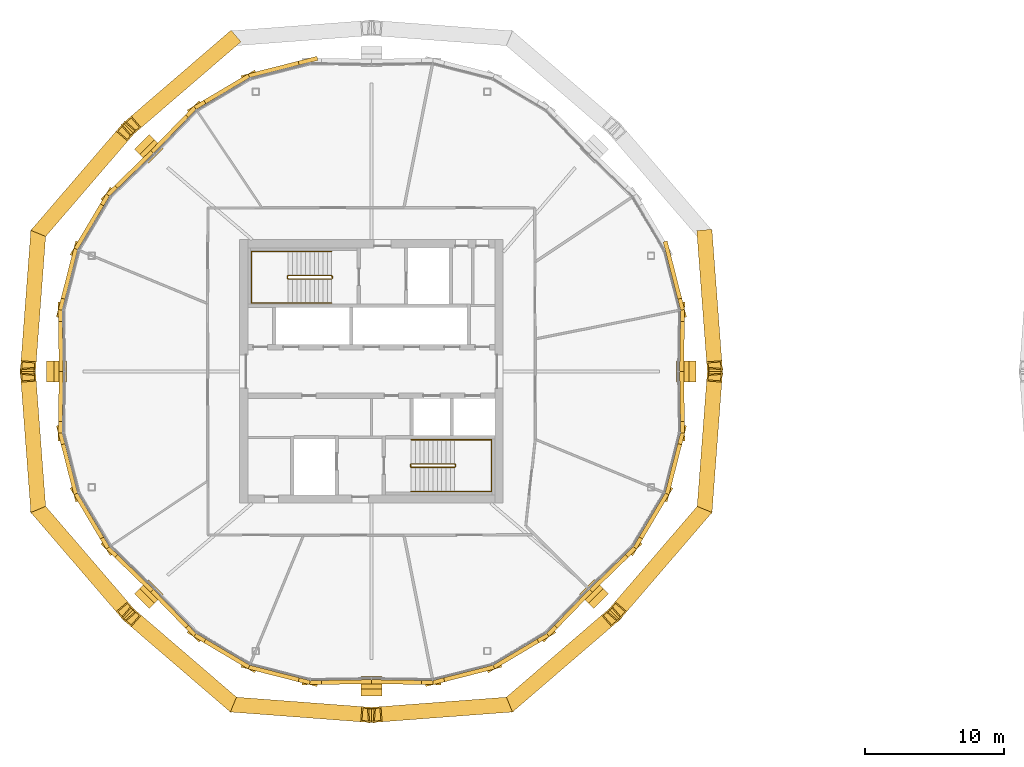
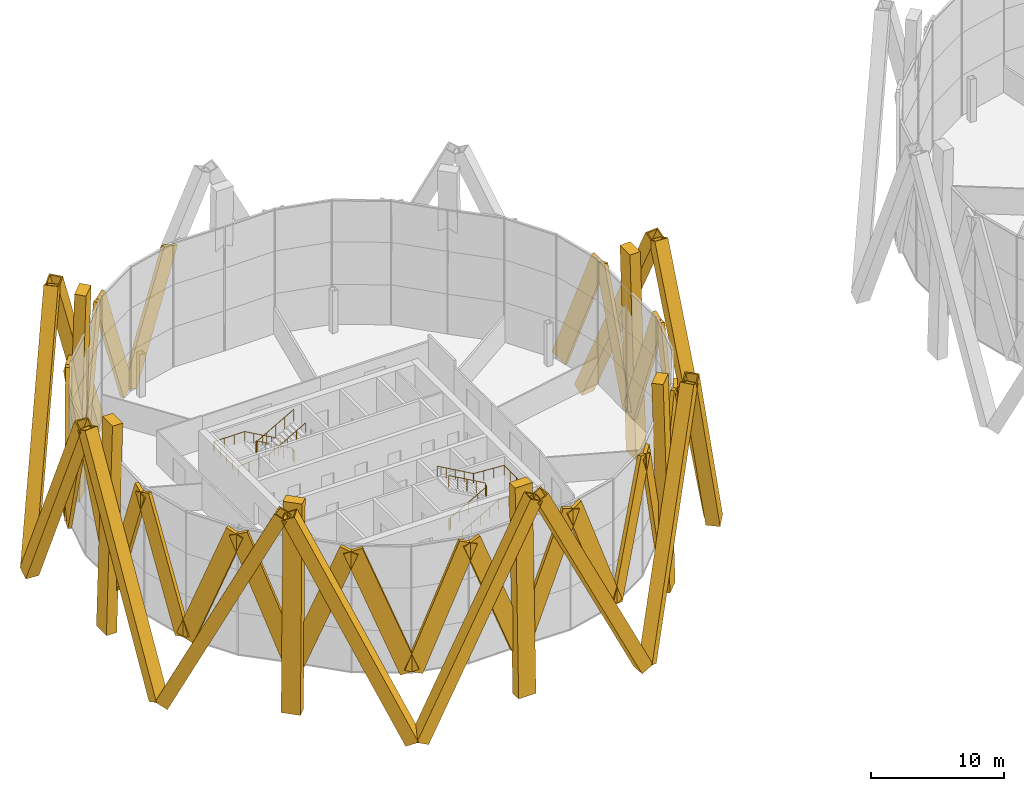
# One storey, part 21 of 23: 43 coverings, 4 railings.
"""IFC4 building model written with IfcOpenShell, lengths in metres."""

from ifc_helpers import new_model, si_unit, direction, frame, origin, origin_2d, place, context, subcontext, project, spatial, rectangle, hollow_rectangle, circle, extrude, material, material_profile, profile_set, type_object, element, save


model = new_model("IFC4")

# Units and contexts
model_context = context("Model", 3, precision=1e-05, world=origin(), true_north=direction((0.0, 1.0)))
body_context = subcontext(model_context, "Body", "Model", "MODEL_VIEW")
ifc_project = project(units=[si_unit("LENGTHUNIT", "METRE"), si_unit("AREAUNIT", "SQUARE_METRE"), si_unit("VOLUMEUNIT", "CUBIC_METRE"), si_unit("PLANEANGLEUNIT", "RADIAN"), si_unit("MASSUNIT", "GRAM", prefix="KILO")], contexts=[model_context])

# Site, building, storey
site_placement = place(None, origin())
site = spatial("IfcSite", under=ifc_project, at=site_placement, CompositionType="ELEMENT")
building_placement = place(site_placement, origin())
building = spatial("IfcBuilding", under=site, at=building_placement, Name="Ogive Gate Towers", CompositionType="ELEMENT")
storey_placement = place(building_placement, frame((0.0, 0.0, 165.60009765625)))
storey = spatial("IfcBuildingStorey", under=building, at=storey_placement, Name="L39", CompositionType="ELEMENT", Elevation=165.60009765625)

# Coverings
ifc_material_1 = material(Name="Pale metal aluminium", Category="aluminium")
ifc_material_profile_1 = material_profile(ifc_material_1, rectangle(XDim=1.5, YDim=0.89990234375, at=origin_2d()), Name="1500 x 900 pale metal aluminium")
ifc_profile_set_1 = profile_set([ifc_material_profile_1], Name="Pale metal aluminium")
covering_type_1 = type_object("IfcCoveringType", Name="Crease colonnette 1500 x 900", PredefinedType="CLADDING", material=ifc_profile_set_1)
for number, where, z_axis, x_axis, name in (
    (1, (-13.050048828125, 0.0, -4.10009765625), (-0.027885430639, 0.0, 0.999611125767), (0.0, -1.0, 0.0), "Crease colonnette"),
    (2, (-52.22802734375, 16.22802734375, -4.10009765625), (0.019716323733, -0.019716323733, 0.999611190992), (0.707106781187, 0.707106781187, 0.0), "Crease colonnette"),
    (3, (-58.949951171875, 0.0, -4.10009765625), (0.027885430639, 0.0, 0.999611125767), (0.0, 1.0, 0.0), "Crease colonnette"),
    (4, (-52.22802734375, -16.22802734375, -4.10009765625), (0.019716323733, 0.019716323733, 0.999611190992), (-0.707106781187, 0.707106781187, 0.0), "Crease colonnette"),
    (5, (-36.0, -22.949951171875, -4.10009765625), (0.0, 0.027885430639, 0.999611125767), (-1.0, 0.0, 0.0), "Crease colonnette"),
    (6, (-19.77197265625, -16.22802734375, -4.10009765625), (-0.019716323733, 0.019716323733, 0.999611190992), (-0.707106781187, -0.707106781187, 0.0), "Crease colonnette"),
):
    element("IfcCovering", number, at=place(storey_placement, frame(where, z_axis=z_axis, x_axis=x_axis)), inside=storey, type_object=covering_type_1, Name=name, PredefinedType="CLADDING", context=body_context, shape_type="SweptSolid", body=[
        extrude(rectangle(XDim=1.5, YDim=0.89990234375, at=origin_2d()), origin(), (0.0, 0.0, 1.0), 19.00732421875),
    ])
ifc_material_2 = material(Name="Pale metal aluminium cladding", Category="aluminium")
ifc_material_profile_2 = material_profile(ifc_material_2, hollow_rectangle(XDim=1.10009765625, YDim=1.10009765625, WallThickness=0.10009765625, at=origin_2d()), Name="1100 x 1100 pale metal casing")
ifc_profile_set_2 = profile_set([ifc_material_profile_2], Name="Pale metal aluminium cladding")
covering_type_2 = type_object("IfcCoveringType", Name="Diagrid casing 1100 x 1100", PredefinedType="CLADDING", material=ifc_profile_set_2)
covering_1_placement = place(storey_placement, frame((-11.97021484375, 9.705078125, -4.305908203125), z_axis=(0.032958717845, -0.437999553394, 0.898370811049), x_axis=(0.997180814037, 0.075036152058, 0.0)))
element("IfcCovering", 7, at=covering_1_placement, inside=storey, type_object=covering_type_2, Name="Diagrid casing", PredefinedType="CLADDING", context=body_context, shape_type="SweptSolid", body=[
    extrude(hollow_rectangle(XDim=1.10009765625, YDim=1.10009765625, WallThickness=0.10009765625, at=origin_2d()), origin(), (0.0, 0.0, 1.0), 21.607666015625),
])
for number, where, z_axis, x_axis, name in (
    (8, (-46.129150390625, 23.85400390625, -4.305908203125), (-0.333011902228, -0.28640402055, 0.898373981139), (0.652057309307, -0.758169681127, 0.0), "Diagrid casing"),
    (9, (-59.85400390625, 10.129150390625, -4.305908203125), (0.28640402055, 0.333011902228, 0.898373981139), (-0.758169681127, 0.652057309307, 0.0), "Diagrid casing"),
):
    element("IfcCovering", number, at=place(storey_placement, frame(where, z_axis=z_axis, x_axis=x_axis)), inside=storey, type_object=covering_type_2, Name=name, PredefinedType="CLADDING", context=body_context, shape_type="SweptSolid", body=[
        extrude(hollow_rectangle(XDim=1.10009765625, YDim=1.10009765625, WallThickness=0.10009765625, at=origin_2d()), origin(), (0.0, 0.0, 1.0), 21.607421875),
    ])
for number, where, z_axis, x_axis, name in (
    (10, (-60.02978515625, 9.705078125, -4.305908203125), (-0.032958717845, -0.437999553394, 0.898370811049), (0.997180814037, -0.075036152058, 0.0), "Diagrid casing"),
    (11, (-60.02978515625, -9.705078125, -4.305908203125), (-0.032958717845, 0.437999553394, 0.898370811049), (-0.997180814037, -0.075036152058, 0.0), "Diagrid casing"),
):
    element("IfcCovering", number, at=place(storey_placement, frame(where, z_axis=z_axis, x_axis=x_axis)), inside=storey, type_object=covering_type_2, Name=name, PredefinedType="CLADDING", context=body_context, shape_type="SweptSolid", body=[
        extrude(hollow_rectangle(XDim=1.10009765625, YDim=1.10009765625, WallThickness=0.10009765625, at=origin_2d()), origin(), (0.0, 0.0, 1.0), 21.607666015625),
    ])
for number, where, z_axis, x_axis, name in (
    (12, (-59.85400390625, -10.129150390625, -4.305908203125), (0.28640402055, -0.333011902228, 0.898373981139), (0.758169681127, 0.652057309307, 0.0), "Diagrid casing"),
    (13, (-46.129150390625, -23.85400390625, -4.305908203125), (-0.333011902228, 0.28640402055, 0.898373981139), (-0.652057309307, -0.758169681127, 0.0), "Diagrid casing"),
):
    element("IfcCovering", number, at=place(storey_placement, frame(where, z_axis=z_axis, x_axis=x_axis)), inside=storey, type_object=covering_type_2, Name=name, PredefinedType="CLADDING", context=body_context, shape_type="SweptSolid", body=[
        extrude(hollow_rectangle(XDim=1.10009765625, YDim=1.10009765625, WallThickness=0.10009765625, at=origin_2d()), origin(), (0.0, 0.0, 1.0), 21.607421875),
    ])
for number, where, z_axis, x_axis, name in (
    (14, (-45.705078125, -24.02978515625, -4.305908203125), (0.437999553394, -0.032958717845, 0.898370811049), (0.075036152058, 0.997180814037, 0.0), "Diagrid casing"),
    (15, (-26.294921875, -24.02978515625, -4.305908203125), (-0.437999553394, -0.032958717845, 0.898370811049), (0.075036152058, -0.997180814037, 0.0), "Diagrid casing"),
):
    element("IfcCovering", number, at=place(storey_placement, frame(where, z_axis=z_axis, x_axis=x_axis)), inside=storey, type_object=covering_type_2, Name=name, PredefinedType="CLADDING", context=body_context, shape_type="SweptSolid", body=[
        extrude(hollow_rectangle(XDim=1.10009765625, YDim=1.10009765625, WallThickness=0.10009765625, at=origin_2d()), origin(), (0.0, 0.0, 1.0), 21.607666015625),
    ])
for number, where, z_axis, x_axis, name in (
    (16, (-25.870849609375, -23.85400390625, -4.305908203125), (0.333011902228, 0.28640402055, 0.898373981139), (-0.652057309307, 0.758169681127, 0.0), "Diagrid casing"),
    (17, (-12.14599609375, -10.129150390625, -4.305908203125), (-0.28640402055, -0.333011902228, 0.898373981139), (0.758169681127, -0.652057309307, 0.0), "Diagrid casing"),
):
    element("IfcCovering", number, at=place(storey_placement, frame(where, z_axis=z_axis, x_axis=x_axis)), inside=storey, type_object=covering_type_2, Name=name, PredefinedType="CLADDING", context=body_context, shape_type="SweptSolid", body=[
        extrude(hollow_rectangle(XDim=1.10009765625, YDim=1.10009765625, WallThickness=0.10009765625, at=origin_2d()), origin(), (0.0, 0.0, 1.0), 21.607421875),
    ])
covering_2_placement = place(storey_placement, frame((-11.97021484375, -9.705078125, -4.305908203125), z_axis=(0.032958717845, 0.437999553394, 0.898370811049), x_axis=(-0.997180814037, 0.075036152058, 0.0)))
element("IfcCovering", 18, at=covering_2_placement, inside=storey, type_object=covering_type_2, Name="Diagrid casing", PredefinedType="CLADDING", context=body_context, shape_type="SweptSolid", body=[
    extrude(hollow_rectangle(XDim=1.10009765625, YDim=1.10009765625, WallThickness=0.10009765625, at=origin_2d()), origin(), (0.0, 0.0, 1.0), 21.607666015625),
])
ifc_material_profile_3 = material_profile(ifc_material_1, rectangle(XDim=0.300048828125, YDim=1.5, at=origin_2d()), Name="1500 x 300 pale metal aluminium")
ifc_profile_set_3 = profile_set([ifc_material_profile_3], Name="Pale metal aluminium")
covering_type_3 = type_object("IfcCoveringType", Name="Facade fin 1500 x 300", PredefinedType="CLADDING", material=ifc_profile_set_3)
covering_3_placement = place(storey_placement, frame((-13.638427734375, 0.09765625, 0.016357421875), z_axis=(0.005423429266, 0.355162442023, 0.934788867173), x_axis=(-0.999883429689, 0.015268498055, 0.0)))
element("IfcCovering", 19, at=covering_3_placement, inside=storey, type_object=covering_type_3, Name="Facade fin", PredefinedType="CLADDING", context=body_context, shape_type="SweptSolid", body=[
    extrude(rectangle(XDim=0.300048828125, YDim=1.5, at=origin_2d()), origin(), (0.0, 0.0, 1.0), 11.839111328125),
])
for number, where, z_axis, x_axis, name in (
    (20, (-14.658447265625, 8.693359375, 0.01953125), (0.088835791205, -0.348319514277, 0.933156856147), (0.968982257622, 0.247130298452, 0.0), "Facade fin"),
    (21, (-44.693359375, 21.341552734375, 0.01953125), (0.348319514277, 0.088835791205, 0.933156856147), (-0.247130298452, 0.968982257622, 0.0), "Facade fin"),
    (22, (-44.94384765625, 21.23779296875, 0.01953125), (-0.309103817281, -0.183480829235, 0.933161087619), (0.510436808671, -0.859915265798, 0.0), "Facade fin"),
):
    element("IfcCovering", number, at=place(storey_placement, frame(where, z_axis=z_axis, x_axis=x_axis)), inside=storey, type_object=covering_type_3, Name=name, PredefinedType="CLADDING", context=body_context, shape_type="SweptSolid", body=[
        extrude(rectangle(XDim=0.300048828125, YDim=1.5, at=origin_2d()), origin(), (0.0, 0.0, 1.0), 11.85302734375),
    ])
for number, where, z_axis, x_axis, name in (
    (23, (-51.742919921875, 15.881103515625, 0.016357421875), (0.247293157105, 0.25496435911, 0.934793704532), (-0.717823015643, 0.696225623066, 0.0), "Facade fin"),
    (24, (-51.881103515625, 15.742919921875, 0.016357421875), (-0.25496435911, -0.247293157105, 0.934793704532), (0.696225623066, -0.717823015643, 0.0), "Facade fin"),
):
    element("IfcCovering", number, at=place(storey_placement, frame(where, z_axis=z_axis, x_axis=x_axis)), inside=storey, type_object=covering_type_3, Name=name, PredefinedType="CLADDING", context=body_context, shape_type="SweptSolid", body=[
        extrude(rectangle(XDim=0.300048828125, YDim=1.5, at=origin_2d()), origin(), (0.0, 0.0, 1.0), 11.839111328125),
    ])
for number, where, z_axis, x_axis, name in (
    (25, (-57.23779296875, 8.94384765625, 0.01953125), (0.183480829235, 0.309103817281, 0.933161087619), (-0.859915265798, 0.510436808671, 0.0), "Facade fin"),
    (26, (-57.341552734375, 8.693359375, 0.01953125), (-0.088835791205, -0.348319514277, 0.933156856147), (0.968982257622, -0.247130298452, 0.0), "Facade fin"),
):
    element("IfcCovering", number, at=place(storey_placement, frame(where, z_axis=z_axis, x_axis=x_axis)), inside=storey, type_object=covering_type_3, Name=name, PredefinedType="CLADDING", context=body_context, shape_type="SweptSolid", body=[
        extrude(rectangle(XDim=0.300048828125, YDim=1.5, at=origin_2d()), origin(), (0.0, 0.0, 1.0), 11.85302734375),
    ])
for number, where, z_axis, x_axis, name in (
    (27, (-58.361572265625, 0.09765625, 0.016357421875), (-0.005423429266, 0.355162442023, 0.934788867173), (-0.999883429689, -0.015268498055, 0.0), "Facade fin"),
    (28, (-58.361572265625, -0.09765625, 0.016357421875), (-0.005423429266, -0.355162442023, 0.934788867173), (0.999883429689, -0.015268498055, 0.0), "Facade fin"),
):
    element("IfcCovering", number, at=place(storey_placement, frame(where, z_axis=z_axis, x_axis=x_axis)), inside=storey, type_object=covering_type_3, Name=name, PredefinedType="CLADDING", context=body_context, shape_type="SweptSolid", body=[
        extrude(rectangle(XDim=0.300048828125, YDim=1.5, at=origin_2d()), origin(), (0.0, 0.0, 1.0), 11.839111328125),
    ])
for number, where, z_axis, x_axis, name in (
    (29, (-57.341552734375, -8.693359375, 0.01953125), (-0.088835791205, 0.348319514277, 0.933156856147), (-0.968982257622, -0.247130298452, 0.0), "Facade fin"),
    (30, (-57.23779296875, -8.94384765625, 0.01953125), (0.183480829235, -0.309103817281, 0.933161087619), (0.859915265798, 0.510436808671, 0.0), "Facade fin"),
):
    element("IfcCovering", number, at=place(storey_placement, frame(where, z_axis=z_axis, x_axis=x_axis)), inside=storey, type_object=covering_type_3, Name=name, PredefinedType="CLADDING", context=body_context, shape_type="SweptSolid", body=[
        extrude(rectangle(XDim=0.300048828125, YDim=1.5, at=origin_2d()), origin(), (0.0, 0.0, 1.0), 11.85302734375),
    ])
for number, where, z_axis, x_axis, name in (
    (31, (-51.881103515625, -15.742919921875, 0.016357421875), (-0.25496435911, 0.247293157105, 0.934793704532), (-0.696225623066, -0.717823015643, 0.0), "Facade fin"),
    (32, (-51.742919921875, -15.881103515625, 0.016357421875), (0.247293157105, -0.25496435911, 0.934793704532), (0.717823015643, 0.696225623066, 0.0), "Facade fin"),
):
    element("IfcCovering", number, at=place(storey_placement, frame(where, z_axis=z_axis, x_axis=x_axis)), inside=storey, type_object=covering_type_3, Name=name, PredefinedType="CLADDING", context=body_context, shape_type="SweptSolid", body=[
        extrude(rectangle(XDim=0.300048828125, YDim=1.5, at=origin_2d()), origin(), (0.0, 0.0, 1.0), 11.839111328125),
    ])
for number, where, z_axis, x_axis, name in (
    (33, (-44.94384765625, -21.23779296875, 0.01953125), (-0.309103817281, 0.183480829235, 0.933161087619), (-0.510436808671, -0.859915265798, 0.0), "Facade fin"),
    (34, (-44.693359375, -21.341552734375, 0.01953125), (0.348319514277, -0.088835791205, 0.933156856147), (0.247130298452, 0.968982257622, 0.0), "Facade fin"),
):
    element("IfcCovering", number, at=place(storey_placement, frame(where, z_axis=z_axis, x_axis=x_axis)), inside=storey, type_object=covering_type_3, Name=name, PredefinedType="CLADDING", context=body_context, shape_type="SweptSolid", body=[
        extrude(rectangle(XDim=0.300048828125, YDim=1.5, at=origin_2d()), origin(), (0.0, 0.0, 1.0), 11.85302734375),
    ])
for number, where, z_axis, x_axis, name in (
    (35, (-36.09765625, -22.361572265625, 0.016357421875), (-0.355162442023, -0.005423429266, 0.934788867173), (0.015268498055, -0.999883429689, 0.0), "Facade fin"),
    (36, (-35.90234375, -22.361572265625, 0.016357421875), (0.355162442023, -0.005423429266, 0.934788867173), (0.015268498055, 0.999883429689, 0.0), "Facade fin"),
):
    element("IfcCovering", number, at=place(storey_placement, frame(where, z_axis=z_axis, x_axis=x_axis)), inside=storey, type_object=covering_type_3, Name=name, PredefinedType="CLADDING", context=body_context, shape_type="SweptSolid", body=[
        extrude(rectangle(XDim=0.300048828125, YDim=1.5, at=origin_2d()), origin(), (0.0, 0.0, 1.0), 11.839111328125),
    ])
for number, where, z_axis, x_axis, name in (
    (37, (-27.306640625, -21.341552734375, 0.01953125), (-0.348319514277, -0.088835791205, 0.933156856147), (0.247130298452, -0.968982257622, 0.0), "Facade fin"),
    (38, (-27.05615234375, -21.23779296875, 0.01953125), (0.309103817281, 0.183480829235, 0.933161087619), (-0.510436808671, 0.859915265798, 0.0), "Facade fin"),
):
    element("IfcCovering", number, at=place(storey_placement, frame(where, z_axis=z_axis, x_axis=x_axis)), inside=storey, type_object=covering_type_3, Name=name, PredefinedType="CLADDING", context=body_context, shape_type="SweptSolid", body=[
        extrude(rectangle(XDim=0.300048828125, YDim=1.5, at=origin_2d()), origin(), (0.0, 0.0, 1.0), 11.85302734375),
    ])
for number, where, z_axis, x_axis, name in (
    (39, (-20.257080078125, -15.881103515625, 0.016357421875), (-0.247293157105, -0.25496435911, 0.934793704532), (0.717823015643, -0.696225623066, 0.0), "Facade fin"),
    (40, (-20.118896484375, -15.742919921875, 0.016357421875), (0.25496435911, 0.247293157105, 0.934793704532), (-0.696225623066, 0.717823015643, 0.0), "Facade fin"),
):
    element("IfcCovering", number, at=place(storey_placement, frame(where, z_axis=z_axis, x_axis=x_axis)), inside=storey, type_object=covering_type_3, Name=name, PredefinedType="CLADDING", context=body_context, shape_type="SweptSolid", body=[
        extrude(rectangle(XDim=0.300048828125, YDim=1.5, at=origin_2d()), origin(), (0.0, 0.0, 1.0), 11.839111328125),
    ])
for number, where, z_axis, x_axis, name in (
    (41, (-14.76220703125, -8.94384765625, 0.01953125), (-0.183480829235, -0.309103817281, 0.933161087619), (0.859915265798, -0.510436808671, 0.0), "Facade fin"),
    (42, (-14.658447265625, -8.693359375, 0.01953125), (0.088835791205, 0.348319514277, 0.933156856147), (-0.968982257622, 0.247130298452, 0.0), "Facade fin"),
):
    element("IfcCovering", number, at=place(storey_placement, frame(where, z_axis=z_axis, x_axis=x_axis)), inside=storey, type_object=covering_type_3, Name=name, PredefinedType="CLADDING", context=body_context, shape_type="SweptSolid", body=[
        extrude(rectangle(XDim=0.300048828125, YDim=1.5, at=origin_2d()), origin(), (0.0, 0.0, 1.0), 11.85302734375),
    ])
covering_4_placement = place(storey_placement, frame((-13.638427734375, -0.09765625, 0.016357421875), z_axis=(0.005423429266, -0.355162442023, 0.934788867173), x_axis=(0.999883429689, 0.015268498055, 0.0)))
element("IfcCovering", 43, at=covering_4_placement, inside=storey, type_object=covering_type_3, Name="Facade fin", PredefinedType="CLADDING", context=body_context, shape_type="SweptSolid", body=[
    extrude(rectangle(XDim=0.300048828125, YDim=1.5, at=origin_2d()), origin(), (0.0, 0.0, 1.0), 11.839111328125),
])

# Railings
ifc_material_3 = material(Name="Stainless steel", Category="steel")
railing_type_1 = type_object("IfcRailingType", Name="Stair guard 1100", PredefinedType="GUARDRAIL", material=ifc_material_3)
railing_1_placement = place(storey_placement, frame((-38.81494140625, 6.860107421875, 0.0)))
element("IfcRailing", 44, at=railing_1_placement, inside=storey, type_object=railing_type_1, Name="L39 ST1 stair guard 1", PredefinedType="GUARDRAIL", context=body_context, shape_type="SweptSolid", body=[
    extrude(circle(Radius=0.02392578125, at=origin_2d()), frame((0.0, 0.0, 1.076171875), z_axis=(0.0, -1.0, 0.0), x_axis=(1.0, 0.0, 0.0)), (0.0, 0.0, 1.0), 0.14501953125),
    extrude(circle(Radius=0.02392578125, at=origin_2d()), frame((0.0, -0.14501953125, 1.076171875), z_axis=(-0.186679794065, 0.726685247142, 0.661119660934), x_axis=(-0.968551454522, -0.24881334358, 0.0)), (0.0, 0.0, 1.0), 0.26806640625),
    extrude(circle(Radius=0.02392578125, at=origin_2d()), frame((-0.050048828125, 0.0498046875, 1.25341796875), z_axis=(-0.870572935281, 0.0, 0.492039393094), x_axis=(0.0, -1.0, 0.0)), (0.0, 0.0, 1.0), 3.602783203125),
    extrude(circle(Radius=0.02392578125, at=origin_2d()), frame((-3.1865234375, 0.0498046875, 3.02587890625), z_axis=(-0.707106781187, -0.707106781187, 0.0), x_axis=(0.707106781187, -0.707106781187, 0.0)), (0.0, 0.0, 1.0), 0.0703125),
    extrude(circle(Radius=0.02392578125, at=origin_2d()), frame((-3.236328125, 0.0, 3.02587890625), z_axis=(0.0, -1.0, 0.0), x_axis=(1.0, 0.0, 0.0)), (0.0, 0.0, 1.0), 0.14501953125),
    extrude(circle(Radius=0.02392578125, at=origin_2d()), frame((-3.236328125, -0.14501953125, 3.02587890625), z_axis=(0.261041864531, -0.262321481514, 0.929001929653), x_axis=(0.708833529934, 0.705375805398, 0.0)), (0.0, 0.0, 1.0), 0.190673828125),
    extrude(circle(Radius=0.02392578125, at=origin_2d()), frame((-3.1865234375, -0.195068359375, 3.203125), z_axis=(0.870572935281, 0.0, 0.492039393094), x_axis=(0.0, 1.0, 0.0)), (0.0, 0.0, 1.0), 3.602783203125),
    extrude(circle(Radius=0.02099609375, at=origin_2d()), origin(), (0.0, 0.0, 1.0), 1.052001953125),
    extrude(circle(Radius=0.02099609375, at=origin_2d()), frame((0.0, -0.14501953125, 0.0)), (0.0, 0.0, 1.0), 1.052001953125),
    extrude(circle(Radius=0.02099609375, at=origin_2d()), frame((-0.050048828125, 0.0498046875, 0.17724609375)), (0.0, 0.0, 1.0), 1.052001953125),
    extrude(circle(Radius=0.02099609375, at=origin_2d()), frame((-0.834228515625, 0.0498046875, 0.620361328125)), (0.0, 0.0, 1.0), 1.052001953125),
    extrude(circle(Radius=0.02099609375, at=origin_2d()), frame((-1.6181640625, 0.0498046875, 1.0634765625)), (0.0, 0.0, 1.0), 1.052001953125),
    extrude(circle(Radius=0.02099609375, at=origin_2d()), frame((-2.40234375, 0.0498046875, 1.5068359375)), (0.0, 0.0, 1.0), 1.052001953125),
    extrude(circle(Radius=0.02099609375, at=origin_2d()), frame((-3.1865234375, 0.0498046875, 1.949951171875)), (0.0, 0.0, 1.0), 1.052001953125),
    extrude(circle(Radius=0.02099609375, at=origin_2d()), frame((-3.236328125, 0.0, 1.949951171875)), (0.0, 0.0, 1.0), 1.052001953125),
    extrude(circle(Radius=0.02099609375, at=origin_2d()), frame((-3.236328125, -0.14501953125, 1.949951171875)), (0.0, 0.0, 1.0), 1.052001953125),
    extrude(circle(Radius=0.02099609375, at=origin_2d()), frame((-3.1865234375, -0.195068359375, 2.127197265625)), (0.0, 0.0, 1.0), 1.052001953125),
    extrude(circle(Radius=0.02099609375, at=origin_2d()), frame((-2.40234375, -0.195068359375, 2.5703125)), (0.0, 0.0, 1.0), 1.052001953125),
    extrude(circle(Radius=0.02099609375, at=origin_2d()), frame((-1.6181640625, -0.195068359375, 3.013671875)), (0.0, 0.0, 1.0), 1.052001953125),
    extrude(circle(Radius=0.02099609375, at=origin_2d()), frame((-0.834228515625, -0.195068359375, 3.456787109375)), (0.0, 0.0, 1.0), 1.052001953125),
    extrude(circle(Radius=0.02099609375, at=origin_2d()), frame((-0.050048828125, -0.195068359375, 3.89990234375)), (0.0, 0.0, 1.0), 1.052001953125),
])
railing_2_placement = place(storey_placement, frame((-33.18505859375, -6.860107421875, 0.0)))
element("IfcRailing", 45, at=railing_2_placement, inside=storey, type_object=railing_type_1, Name="L39 ST2 stair guard 1", PredefinedType="GUARDRAIL", context=body_context, shape_type="SweptSolid", body=[
    extrude(circle(Radius=0.02392578125, at=origin_2d()), frame((0.0, 0.0, 1.076171875), z_axis=(0.0, 1.0, 0.0), x_axis=(-1.0, 0.0, 0.0)), (0.0, 0.0, 1.0), 0.14501953125),
    extrude(circle(Radius=0.02392578125, at=origin_2d()), frame((0.0, 0.14501953125, 1.076171875), z_axis=(0.186679794065, -0.726685247142, 0.661119660934), x_axis=(0.968551454522, 0.24881334358, 0.0)), (0.0, 0.0, 1.0), 0.26806640625),
    extrude(circle(Radius=0.02392578125, at=origin_2d()), frame((0.050048828125, -0.0498046875, 1.25341796875), z_axis=(0.870572935281, 0.0, 0.492039393094), x_axis=(0.0, 1.0, 0.0)), (0.0, 0.0, 1.0), 3.602783203125),
    extrude(circle(Radius=0.02392578125, at=origin_2d()), frame((3.1865234375, -0.0498046875, 3.02587890625), z_axis=(0.707106781187, 0.707106781187, 0.0), x_axis=(-0.707106781187, 0.707106781187, 0.0)), (0.0, 0.0, 1.0), 0.0703125),
    extrude(circle(Radius=0.02392578125, at=origin_2d()), frame((3.236328125, 0.0, 3.02587890625), z_axis=(0.0, 1.0, 0.0), x_axis=(-1.0, 0.0, 0.0)), (0.0, 0.0, 1.0), 0.14501953125),
    extrude(circle(Radius=0.02392578125, at=origin_2d()), frame((3.236328125, 0.14501953125, 3.02587890625), z_axis=(-0.261041864531, 0.262321481514, 0.929001929653), x_axis=(-0.708833529934, -0.705375805398, 0.0)), (0.0, 0.0, 1.0), 0.190673828125),
    extrude(circle(Radius=0.02392578125, at=origin_2d()), frame((3.1865234375, 0.195068359375, 3.203125), z_axis=(-0.870572935281, 0.0, 0.492039393094), x_axis=(0.0, -1.0, 0.0)), (0.0, 0.0, 1.0), 3.602783203125),
    extrude(circle(Radius=0.02099609375, at=origin_2d()), origin(), (0.0, 0.0, 1.0), 1.052001953125),
    extrude(circle(Radius=0.02099609375, at=origin_2d()), frame((0.0, 0.14501953125, 0.0)), (0.0, 0.0, 1.0), 1.052001953125),
    extrude(circle(Radius=0.02099609375, at=origin_2d()), frame((0.050048828125, -0.0498046875, 0.17724609375)), (0.0, 0.0, 1.0), 1.052001953125),
    extrude(circle(Radius=0.02099609375, at=origin_2d()), frame((0.834228515625, -0.0498046875, 0.620361328125)), (0.0, 0.0, 1.0), 1.052001953125),
    extrude(circle(Radius=0.02099609375, at=origin_2d()), frame((1.6181640625, -0.0498046875, 1.0634765625)), (0.0, 0.0, 1.0), 1.052001953125),
    extrude(circle(Radius=0.02099609375, at=origin_2d()), frame((2.40234375, -0.0498046875, 1.5068359375)), (0.0, 0.0, 1.0), 1.052001953125),
    extrude(circle(Radius=0.02099609375, at=origin_2d()), frame((3.1865234375, -0.0498046875, 1.949951171875)), (0.0, 0.0, 1.0), 1.052001953125),
    extrude(circle(Radius=0.02099609375, at=origin_2d()), frame((3.236328125, 0.0, 1.949951171875)), (0.0, 0.0, 1.0), 1.052001953125),
    extrude(circle(Radius=0.02099609375, at=origin_2d()), frame((3.236328125, 0.14501953125, 1.949951171875)), (0.0, 0.0, 1.0), 1.052001953125),
    extrude(circle(Radius=0.02099609375, at=origin_2d()), frame((3.1865234375, 0.195068359375, 2.127197265625)), (0.0, 0.0, 1.0), 1.052001953125),
    extrude(circle(Radius=0.02099609375, at=origin_2d()), frame((2.40234375, 0.195068359375, 2.5703125)), (0.0, 0.0, 1.0), 1.052001953125),
    extrude(circle(Radius=0.02099609375, at=origin_2d()), frame((1.6181640625, 0.195068359375, 3.013671875)), (0.0, 0.0, 1.0), 1.052001953125),
    extrude(circle(Radius=0.02099609375, at=origin_2d()), frame((0.834228515625, 0.195068359375, 3.456787109375)), (0.0, 0.0, 1.0), 1.052001953125),
    extrude(circle(Radius=0.02099609375, at=origin_2d()), frame((0.050048828125, 0.195068359375, 3.89990234375)), (0.0, 0.0, 1.0), 1.052001953125),
])
railing_type_2 = type_object("IfcRailingType", Name="Stair handrail 900", PredefinedType="HANDRAIL", material=ifc_material_3)
railing_3_placement = place(storey_placement, frame((-38.864990234375, 8.64990234375, 0.17724609375)))
element("IfcRailing", 46, at=railing_3_placement, inside=storey, type_object=railing_type_2, Name="L39 ST1 stair handrail 1", PredefinedType="HANDRAIL", context=body_context, shape_type="SweptSolid", body=[
    extrude(circle(Radius=0.02392578125, at=origin_2d()), frame((0.0, 0.0, 0.8759765625), z_axis=(-0.870572935281, 0.0, 0.492039393094), x_axis=(0.0, -1.0, 0.0)), (0.0, 0.0, 1.0), 3.602783203125),
    extrude(circle(Radius=0.02392578125, at=origin_2d()), frame((-3.136474609375, 0.0, 2.6484375), z_axis=(-1.0, 0.0, 0.0), x_axis=(0.0, -1.0, 0.0)), (0.0, 0.0, 1.0), 2.6484375),
    extrude(circle(Radius=0.02392578125, at=origin_2d()), frame((-5.784912109375, 0.0, 2.6484375), z_axis=(0.0, -1.0, 0.0), x_axis=(1.0, 0.0, 0.0)), (0.0, 0.0, 1.0), 3.724853515625),
    extrude(circle(Radius=0.02392578125, at=origin_2d()), frame((-5.784912109375, -3.724853515625, 2.6484375), z_axis=(0.997768031817, 0.0, 0.066775404784), x_axis=(0.0, 1.0, 0.0)), (0.0, 0.0, 1.0), 2.654296875),
    extrude(circle(Radius=0.02392578125, at=origin_2d()), frame((-3.136474609375, -3.724853515625, 2.82568359375), z_axis=(0.870572935281, 0.0, 0.492039393094), x_axis=(0.0, 1.0, 0.0)), (0.0, 0.0, 1.0), 3.602783203125),
    extrude(circle(Radius=0.02099609375, at=origin_2d()), origin(), (0.0, 0.0, 1.0), 0.851806640625),
    extrude(circle(Radius=0.02099609375, at=origin_2d()), frame((-0.7841796875, 0.0, 0.443115234375)), (0.0, 0.0, 1.0), 0.851806640625),
    extrude(circle(Radius=0.02099609375, at=origin_2d()), frame((-1.568359375, 0.0, 0.88623046875)), (0.0, 0.0, 1.0), 0.851806640625),
    extrude(circle(Radius=0.02099609375, at=origin_2d()), frame((-2.352294921875, 0.0, 1.32958984375)), (0.0, 0.0, 1.0), 0.851806640625),
    extrude(circle(Radius=0.02099609375, at=origin_2d()), frame((-3.136474609375, 0.0, 1.772705078125)), (0.0, 0.0, 1.0), 0.851806640625),
    extrude(circle(Radius=0.02099609375, at=origin_2d()), frame((-4.019287109375, 0.0, 1.772705078125)), (0.0, 0.0, 1.0), 0.851806640625),
    extrude(circle(Radius=0.02099609375, at=origin_2d()), frame((-4.902099609375, 0.0, 1.772705078125)), (0.0, 0.0, 1.0), 0.851806640625),
    extrude(circle(Radius=0.02099609375, at=origin_2d()), frame((-5.784912109375, 0.0, 1.772705078125)), (0.0, 0.0, 1.0), 0.851806640625),
    extrude(circle(Radius=0.02099609375, at=origin_2d()), frame((-5.784912109375, -0.93115234375, 1.772705078125)), (0.0, 0.0, 1.0), 0.851806640625),
    extrude(circle(Radius=0.02099609375, at=origin_2d()), frame((-5.784912109375, -1.8623046875, 1.772705078125)), (0.0, 0.0, 1.0), 0.851806640625),
    extrude(circle(Radius=0.02099609375, at=origin_2d()), frame((-5.784912109375, -2.793701171875, 1.772705078125)), (0.0, 0.0, 1.0), 0.851806640625),
    extrude(circle(Radius=0.02099609375, at=origin_2d()), frame((-5.784912109375, -3.724853515625, 1.772705078125)), (0.0, 0.0, 1.0), 0.851806640625),
    extrude(circle(Radius=0.02099609375, at=origin_2d()), frame((-4.902099609375, -3.724853515625, 1.831787109375)), (0.0, 0.0, 1.0), 0.851806640625),
    extrude(circle(Radius=0.02099609375, at=origin_2d()), frame((-4.019287109375, -3.724853515625, 1.890869140625)), (0.0, 0.0, 1.0), 0.851806640625),
    extrude(circle(Radius=0.02099609375, at=origin_2d()), frame((-3.136474609375, -3.724853515625, 1.949951171875)), (0.0, 0.0, 1.0), 0.851806640625),
    extrude(circle(Radius=0.02099609375, at=origin_2d()), frame((-2.352294921875, -3.724853515625, 2.39306640625)), (0.0, 0.0, 1.0), 0.851806640625),
    extrude(circle(Radius=0.02099609375, at=origin_2d()), frame((-1.568359375, -3.724853515625, 2.83642578125)), (0.0, 0.0, 1.0), 0.851806640625),
    extrude(circle(Radius=0.02099609375, at=origin_2d()), frame((-0.7841796875, -3.724853515625, 3.279541015625)), (0.0, 0.0, 1.0), 0.851806640625),
    extrude(circle(Radius=0.02099609375, at=origin_2d()), frame((0.0, -3.724853515625, 3.72265625)), (0.0, 0.0, 1.0), 0.851806640625),
])
railing_4_placement = place(storey_placement, frame((-33.135009765625, -8.64990234375, 0.17724609375)))
element("IfcRailing", 47, at=railing_4_placement, inside=storey, type_object=railing_type_2, Name="L39 ST2 stair handrail 1", PredefinedType="HANDRAIL", context=body_context, shape_type="SweptSolid", body=[
    extrude(circle(Radius=0.02392578125, at=origin_2d()), frame((0.0, 0.0, 0.8759765625), z_axis=(0.870572935281, 0.0, 0.492039393094), x_axis=(0.0, 1.0, 0.0)), (0.0, 0.0, 1.0), 3.602783203125),
    extrude(circle(Radius=0.02392578125, at=origin_2d()), frame((3.136474609375, 0.0, 2.6484375), z_axis=(1.0, 0.0, 0.0), x_axis=(0.0, 1.0, 0.0)), (0.0, 0.0, 1.0), 2.6484375),
    extrude(circle(Radius=0.02392578125, at=origin_2d()), frame((5.784912109375, 0.0, 2.6484375), z_axis=(0.0, 1.0, 0.0), x_axis=(-1.0, 0.0, 0.0)), (0.0, 0.0, 1.0), 3.724853515625),
    extrude(circle(Radius=0.02392578125, at=origin_2d()), frame((5.784912109375, 3.724853515625, 2.6484375), z_axis=(-0.997768031817, 0.0, 0.066775404784), x_axis=(0.0, -1.0, 0.0)), (0.0, 0.0, 1.0), 2.654296875),
    extrude(circle(Radius=0.02392578125, at=origin_2d()), frame((3.136474609375, 3.724853515625, 2.82568359375), z_axis=(-0.870572935281, 0.0, 0.492039393094), x_axis=(0.0, -1.0, 0.0)), (0.0, 0.0, 1.0), 3.602783203125),
    extrude(circle(Radius=0.02099609375, at=origin_2d()), origin(), (0.0, 0.0, 1.0), 0.851806640625),
    extrude(circle(Radius=0.02099609375, at=origin_2d()), frame((0.7841796875, 0.0, 0.443115234375)), (0.0, 0.0, 1.0), 0.851806640625),
    extrude(circle(Radius=0.02099609375, at=origin_2d()), frame((1.568359375, 0.0, 0.88623046875)), (0.0, 0.0, 1.0), 0.851806640625),
    extrude(circle(Radius=0.02099609375, at=origin_2d()), frame((2.352294921875, 0.0, 1.32958984375)), (0.0, 0.0, 1.0), 0.851806640625),
    extrude(circle(Radius=0.02099609375, at=origin_2d()), frame((3.136474609375, 0.0, 1.772705078125)), (0.0, 0.0, 1.0), 0.851806640625),
    extrude(circle(Radius=0.02099609375, at=origin_2d()), frame((4.019287109375, 0.0, 1.772705078125)), (0.0, 0.0, 1.0), 0.851806640625),
    extrude(circle(Radius=0.02099609375, at=origin_2d()), frame((4.902099609375, 0.0, 1.772705078125)), (0.0, 0.0, 1.0), 0.851806640625),
    extrude(circle(Radius=0.02099609375, at=origin_2d()), frame((5.784912109375, 0.0, 1.772705078125)), (0.0, 0.0, 1.0), 0.851806640625),
    extrude(circle(Radius=0.02099609375, at=origin_2d()), frame((5.784912109375, 0.93115234375, 1.772705078125)), (0.0, 0.0, 1.0), 0.851806640625),
    extrude(circle(Radius=0.02099609375, at=origin_2d()), frame((5.784912109375, 1.8623046875, 1.772705078125)), (0.0, 0.0, 1.0), 0.851806640625),
    extrude(circle(Radius=0.02099609375, at=origin_2d()), frame((5.784912109375, 2.793701171875, 1.772705078125)), (0.0, 0.0, 1.0), 0.851806640625),
    extrude(circle(Radius=0.02099609375, at=origin_2d()), frame((5.784912109375, 3.724853515625, 1.772705078125)), (0.0, 0.0, 1.0), 0.851806640625),
    extrude(circle(Radius=0.02099609375, at=origin_2d()), frame((4.902099609375, 3.724853515625, 1.831787109375)), (0.0, 0.0, 1.0), 0.851806640625),
    extrude(circle(Radius=0.02099609375, at=origin_2d()), frame((4.019287109375, 3.724853515625, 1.890869140625)), (0.0, 0.0, 1.0), 0.851806640625),
    extrude(circle(Radius=0.02099609375, at=origin_2d()), frame((3.136474609375, 3.724853515625, 1.949951171875)), (0.0, 0.0, 1.0), 0.851806640625),
    extrude(circle(Radius=0.02099609375, at=origin_2d()), frame((2.352294921875, 3.724853515625, 2.39306640625)), (0.0, 0.0, 1.0), 0.851806640625),
    extrude(circle(Radius=0.02099609375, at=origin_2d()), frame((1.568359375, 3.724853515625, 2.83642578125)), (0.0, 0.0, 1.0), 0.851806640625),
    extrude(circle(Radius=0.02099609375, at=origin_2d()), frame((0.7841796875, 3.724853515625, 3.279541015625)), (0.0, 0.0, 1.0), 0.851806640625),
    extrude(circle(Radius=0.02099609375, at=origin_2d()), frame((0.0, 3.724853515625, 3.72265625)), (0.0, 0.0, 1.0), 0.851806640625),
])

save(model, "model.ifc")
